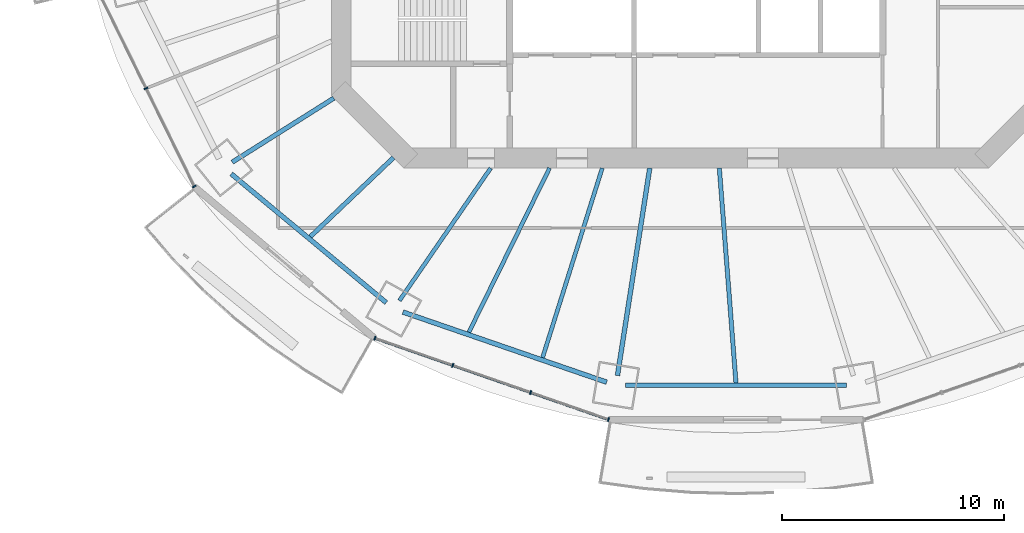
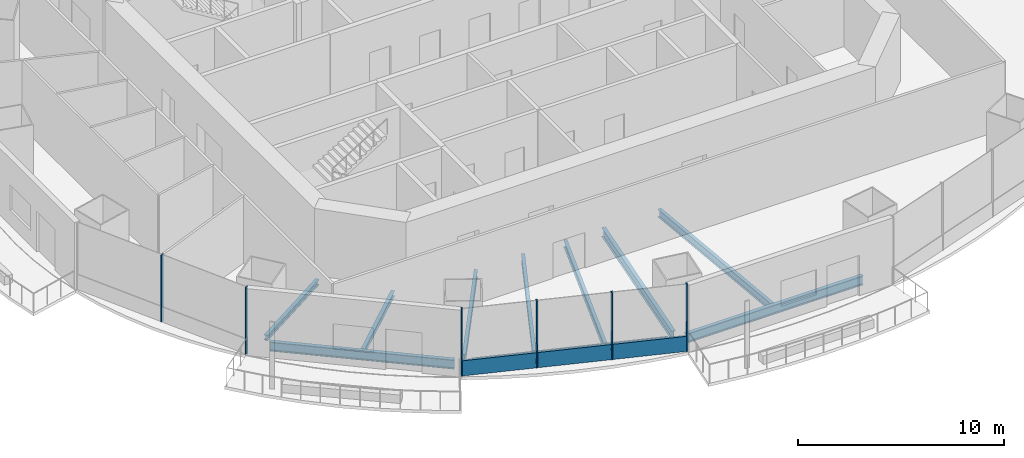
# One storey, part 2 of 18: 10 beams, 7 members, 2 elements without a shape of their own.
"""IFC4 building model written with IfcOpenShell, lengths in metres."""

from ifc_helpers import new_model, si_unit, direction, frame, origin, origin_2d, place, context, subcontext, project, spatial, rectangle, i_section, extrude, material, material_profile, profile_set, type_object, element, aggregate, save


model = new_model("IFC4")

# Units and contexts
model_context = context("Model", 3, precision=1e-05, world=origin(), true_north=direction((0.0, 1.0)))
body_context = subcontext(model_context, "Body", "Model", "MODEL_VIEW")
ifc_project = project(units=[si_unit("LENGTHUNIT", "METRE"), si_unit("AREAUNIT", "SQUARE_METRE"), si_unit("VOLUMEUNIT", "CUBIC_METRE"), si_unit("PLANEANGLEUNIT", "RADIAN"), si_unit("MASSUNIT", "GRAM", prefix="KILO")], contexts=[model_context])

# Site, building, storey
site_placement = place(None, origin())
site = spatial("IfcSite", under=ifc_project, at=site_placement, CompositionType="ELEMENT")
building_placement = place(site_placement, origin())
building = spatial("IfcBuilding", under=site, at=building_placement, Name="Marenthal Gate Tower", CompositionType="ELEMENT")
storey_placement = place(building_placement, frame((0.0, 0.0, 264.800048828125)))
storey = spatial("IfcBuildingStorey", under=building, at=storey_placement, Name="L59", CompositionType="ELEMENT", Elevation=264.800048828125)

# Curtain wall, members
ifc_material_1 = material(Name="Aluminium and glass", Category="aluminium")
curtain_wall_type = type_object("IfcCurtainWallType", Name="Curtain wall typical mid", PredefinedType="NOTDEFINED", material=ifc_material_1)
curtain_wall_1_placement = place(storey_placement, origin())
curtain_wall_1 = element("IfcCurtainWall", 1, at=curtain_wall_1_placement, inside=storey, type_object=curtain_wall_type, Name="Curtain wall L59 bay 9", PredefinedType="NOTDEFINED")
ifc_material_2 = material(Name="Aluminium", Category="aluminium")
ifc_material_profile_1 = material_profile(ifc_material_2, rectangle(XDim=0.179931640625, YDim=0.06005859375, at=origin_2d()), Name="60x180 aluminium mullion")
ifc_profile_set_1 = profile_set([ifc_material_profile_1], Name="Aluminium")
member_type_1 = type_object("IfcMemberType", Name="Mullion 60x180 typical mid", PredefinedType="MULLION", material=ifc_profile_set_1)
member_1_placement = place(storey_placement, frame((-24.804931640625, -9.858642578125, 0.0), z_axis=(0.0, 0.0, 1.0), x_axis=(0.896920632002, 0.442191564697, 0.0)))
member_1 = element("IfcMember", 2, at=member_1_placement, type_object=member_type_1, Name="Mullion L59 bay 9.2", PredefinedType="MULLION", context=body_context, shape_type="SweptSolid", body=[
    extrude(rectangle(XDim=0.179931640625, YDim=0.06005859375, at=origin_2d()), origin(), (0.0, 0.0, 1.0), 3.969970703125),
])
member_2_placement = place(storey_placement, frame((-22.6259765625, -14.27783203125, 0.0), z_axis=(0.0, 0.0, 1.0), x_axis=(0.896920632002, 0.442191564697, 0.0)))
member_2 = element("IfcMember", 3, at=member_2_placement, type_object=member_type_1, Name="Mullion L59 bay 9.3", PredefinedType="MULLION", context=body_context, shape_type="SweptSolid", body=[
    extrude(rectangle(XDim=0.179931640625, YDim=0.06005859375, at=origin_2d()), origin(), (0.0, 0.0, 1.0), 3.969970703125),
])
aggregate(curtain_wall_1, [member_1, member_2])

curtain_wall_2_placement = place(storey_placement, origin())
curtain_wall_2 = element("IfcCurtainWall", 4, at=curtain_wall_2_placement, inside=storey, type_object=curtain_wall_type, Name="Curtain wall L59 bay 11", PredefinedType="NOTDEFINED")
member_3_placement = place(storey_placement, frame((-14.48388671875, -21.12060546875, 0.0), z_axis=(0.0, 0.0, 1.0), x_axis=(0.328669787971, 0.944444900709, 0.0)))
member_3 = element("IfcMember", 5, at=member_3_placement, type_object=member_type_1, Name="Mullion L59 bay 11.1", PredefinedType="MULLION", context=body_context, shape_type="SweptSolid", body=[
    extrude(rectangle(XDim=0.179931640625, YDim=0.06005859375, at=origin_2d()), origin(), (0.0, 0.0, 1.0), 3.969970703125),
])
member_4_placement = place(storey_placement, frame((-10.974609375, -22.341796875, 0.0), z_axis=(0.0, 0.0, 1.0), x_axis=(0.328669787971, 0.944444900709, 0.0)))
member_4 = element("IfcMember", 6, at=member_4_placement, type_object=member_type_1, Name="Mullion L59 bay 11.2", PredefinedType="MULLION", context=body_context, shape_type="SweptSolid", body=[
    extrude(rectangle(XDim=0.179931640625, YDim=0.06005859375, at=origin_2d()), origin(), (0.0, 0.0, 1.0), 3.969970703125),
])
member_5_placement = place(storey_placement, frame((-7.465576171875, -23.56298828125, 0.0), z_axis=(0.0, 0.0, 1.0), x_axis=(0.328669787971, 0.944444900709, 0.0)))
member_5 = element("IfcMember", 7, at=member_5_placement, type_object=member_type_1, Name="Mullion L59 bay 11.3", PredefinedType="MULLION", context=body_context, shape_type="SweptSolid", body=[
    extrude(rectangle(XDim=0.179931640625, YDim=0.06005859375, at=origin_2d()), origin(), (0.0, 0.0, 1.0), 3.969970703125),
])
member_6_placement = place(storey_placement, frame((-3.956298828125, -24.7841796875, 0.0), z_axis=(0.0, 0.0, 1.0), x_axis=(0.328669787971, 0.944444900709, 0.0)))
member_6 = element("IfcMember", 8, at=member_6_placement, type_object=member_type_1, Name="Mullion L59 bay 11.4", PredefinedType="MULLION", context=body_context, shape_type="SweptSolid", body=[
    extrude(rectangle(XDim=0.179931640625, YDim=0.06005859375, at=origin_2d()), origin(), (0.0, 0.0, 1.0), 3.969970703125),
])
ifc_material_3 = material(Name="Aluminium", Category="aluminium")
ifc_material_profile_2 = material_profile(ifc_material_3, rectangle(XDim=0.1201171875, YDim=0.89990234375, at=origin_2d()), Name="120x900 aluminium transom")
ifc_profile_set_2 = profile_set([ifc_material_profile_2], Name="Aluminium")
member_type_2 = type_object("IfcMemberType", Name="Transom 120x900 typical mid", PredefinedType="USERDEFINED", material=ifc_profile_set_2)
member_7_placement = place(storey_placement, frame((-14.455322265625, -21.13037109375, 0.449951171875), z_axis=(0.944445984358, -0.328666674047, 0.0), x_axis=(0.328666674047, 0.944445984358, 0.0)))
member_7 = element("IfcMember", 9, at=member_7_placement, type_object=member_type_2, Name="Transom L59 bay 11", ObjectType="TRANSOM", PredefinedType="USERDEFINED", context=body_context, shape_type="SweptSolid", body=[
    extrude(rectangle(XDim=0.1201171875, YDim=0.89990234375, at=origin_2d()), origin(), (0.0, 0.0, 1.0), 11.086669921875),
])
aggregate(curtain_wall_2, [member_3, member_4, member_5, member_6, member_7])

# Beams
ifc_material_4 = material(Name="Steel S355", Category="steel")
ifc_material_profile_3 = material_profile(ifc_material_4, i_section(OverallWidth=0.202880859375, OverallDepth=0.302001953125, WebThickness=0.007568359375, FlangeThickness=0.01318359375, FilletRadius=0.0126953125, at=origin_2d()), Name="W310X60")
ifc_profile_set_3 = profile_set([ifc_material_profile_3], Name="Steel S355")
beam_type_1 = type_object("IfcBeamType", Name="W310X60 beam", PredefinedType="BEAM", material=ifc_profile_set_3)
beam_1_placement = place(storey_placement, frame((-17.389404296875, -16.538330078125, -0.3310546875), z_axis=(0.724635316144, 0.68913254066, 0.0), x_axis=(-0.68913254066, 0.724635316144, 0.0)))
element("IfcBeam", 10, at=beam_1_placement, inside=storey, type_object=beam_type_1, Name="BM-L59-31", PredefinedType="BEAM", context=body_context, shape_type="SweptSolid", body=[
    extrude(i_section(OverallWidth=0.202880859375, OverallDepth=0.302001953125, WebThickness=0.007568359375, FlangeThickness=0.01318359375, FilletRadius=0.0126953125, at=origin_2d()), origin(), (0.0, 0.0, 1.0), 5.157470703125),
])
ifc_material_5 = material(Name="Steel S355", Category="steel")
ifc_material_profile_4 = material_profile(ifc_material_5, i_section(OverallWidth=0.205078125, OverallDepth=0.31005859375, WebThickness=0.009521484375, FlangeThickness=0.016357421875, FilletRadius=0.0126953125, at=origin_2d()), Name="W310X74")
ifc_profile_set_4 = profile_set([ifc_material_profile_4], Name="Steel S355")
beam_type_2 = type_object("IfcBeamType", Name="W310X74 beam", PredefinedType="BEAM", material=ifc_profile_set_4)
beam_2_placement = place(storey_placement, frame((-20.9130859375, -13.18359375, -0.3349609375), z_axis=(0.845937996818, 0.533281263067, 0.0), x_axis=(-0.533281263067, 0.845937996818, 0.0)))
element("IfcBeam", 11, at=beam_2_placement, inside=storey, type_object=beam_type_2, Name="BM-L59-10", PredefinedType="BEAM", context=body_context, shape_type="SweptSolid", body=[
    extrude(i_section(OverallWidth=0.205078125, OverallDepth=0.31005859375, WebThickness=0.009521484375, FlangeThickness=0.016357421875, FilletRadius=0.0126953125, at=origin_2d()), origin(), (0.0, 0.0, 1.0), 5.408935546875),
])
ifc_material_6 = material(Name="Steel S355", Category="steel")
ifc_material_profile_5 = material_profile(ifc_material_6, i_section(OverallWidth=0.180908203125, OverallDepth=0.4169921875, WebThickness=0.010986328125, FlangeThickness=0.018310546875, FilletRadius=0.01025390625, at=origin_2d()), Name="W410X85")
ifc_profile_set_5 = profile_set([ifc_material_profile_5], Name="Steel S355")
beam_type_3 = type_object("IfcBeamType", Name="W410X85 beam", PredefinedType="BEAM", material=ifc_profile_set_5)
beam_3_placement = place(storey_placement, frame((-13.376708984375, -19.4228515625, -0.388427734375), z_axis=(0.567198693858, 0.823580986719, 0.0), x_axis=(-0.823580986719, 0.567198693858, 0.0)))
element("IfcBeam", 12, at=beam_3_placement, inside=storey, type_object=beam_type_3, Name="BM-L59-11", PredefinedType="BEAM", context=body_context, shape_type="SweptSolid", body=[
    extrude(i_section(OverallWidth=0.180908203125, OverallDepth=0.4169921875, WebThickness=0.010986328125, FlangeThickness=0.018310546875, FilletRadius=0.01025390625, at=origin_2d()), origin(), (0.0, 0.0, 1.0), 7.25244140625),
])
beam_4_placement = place(storey_placement, frame((-10.2490234375, -20.85009765625, -0.388427734375), z_axis=(0.441151587907, 0.897432602755, 0.0), x_axis=(-0.897432602755, 0.441151587907, 0.0)))
element("IfcBeam", 13, at=beam_4_placement, inside=storey, type_object=beam_type_3, Name="BM-L59-32", PredefinedType="BEAM", context=body_context, shape_type="SweptSolid", body=[
    extrude(i_section(OverallWidth=0.180908203125, OverallDepth=0.4169921875, WebThickness=0.010986328125, FlangeThickness=0.018310546875, FilletRadius=0.01025390625, at=origin_2d()), origin(), (0.0, 0.0, 1.0), 8.245849609375),
])
beam_5_placement = place(storey_placement, frame((-6.926025390625, -21.994140625, -0.388427734375), z_axis=(0.30034603041, 0.953830310913, 0.0), x_axis=(-0.953830310913, 0.30034603041, 0.0)))
element("IfcBeam", 14, at=beam_5_placement, inside=storey, type_object=beam_type_3, Name="BM-L59-33", PredefinedType="BEAM", context=body_context, shape_type="SweptSolid", body=[
    extrude(i_section(OverallWidth=0.180908203125, OverallDepth=0.4169921875, WebThickness=0.010986328125, FlangeThickness=0.018310546875, FilletRadius=0.01025390625, at=origin_2d()), origin(), (0.0, 0.0, 1.0), 8.957763671875),
])
ifc_material_7 = material(Name="Steel S355", Category="steel")
ifc_material_profile_6 = material_profile(ifc_material_7, i_section(OverallWidth=0.193115234375, OverallDepth=0.467041015625, WebThickness=0.011474609375, FlangeThickness=0.01904296875, FilletRadius=0.010009765625, at=origin_2d()), Name="W460X97")
ifc_profile_set_6 = profile_set([ifc_material_profile_6], Name="Steel S355")
beam_type_4 = type_object("IfcBeamType", Name="W460X97 beam", PredefinedType="BEAM", material=ifc_profile_set_6)
beam_6_placement = place(storey_placement, frame((1.791748046875, -23.138427734375, -0.41357421875), z_axis=(-0.077205616484, 0.997015191852, 0.0), x_axis=(-0.997015191852, -0.077205616484, 0.0)))
element("IfcBeam", 15, at=beam_6_placement, inside=storey, type_object=beam_type_4, Name="BM-L59-34", PredefinedType="BEAM", context=body_context, shape_type="SweptSolid", body=[
    extrude(i_section(OverallWidth=0.193115234375, OverallDepth=0.467041015625, WebThickness=0.011474609375, FlangeThickness=0.01904296875, FilletRadius=0.010009765625, at=origin_2d()), origin(), (0.0, 0.0, 1.0), 9.717529296875),
])
ifc_material_8 = material(Name="Steel S355", Category="steel")
ifc_material_profile_7 = material_profile(ifc_material_8, i_section(OverallWidth=0.2099609375, OverallDepth=0.535888671875, WebThickness=0.010986328125, FlangeThickness=0.017333984375, FilletRadius=0.0126953125, at=origin_2d()), Name="W530X101")
ifc_profile_set_7 = profile_set([ifc_material_profile_7], Name="Steel S355")
beam_type_5 = type_object("IfcBeamType", Name="W530X101 beam", PredefinedType="BEAM", material=ifc_profile_set_7)
beam_7_placement = place(storey_placement, frame((-3.550537109375, -22.7998046875, -0.447998046875), z_axis=(0.153875504904, 0.988090243343, 0.0), x_axis=(-0.988090243343, 0.153875504904, 0.0)))
element("IfcBeam", 16, at=beam_7_placement, inside=storey, type_object=beam_type_5, Name="BM-L59-12", PredefinedType="BEAM", context=body_context, shape_type="SweptSolid", body=[
    extrude(i_section(OverallWidth=0.2099609375, OverallDepth=0.535888671875, WebThickness=0.010986328125, FlangeThickness=0.017333984375, FilletRadius=0.0126953125, at=origin_2d()), origin(), (0.0, 0.0, 1.0), 9.462646484375),
])
ifc_material_9 = material(Name="Steel S355", Category="steel")
ifc_material_profile_8 = material_profile(ifc_material_9, i_section(OverallWidth=0.2119140625, OverallDepth=0.5439453125, WebThickness=0.01318359375, FlangeThickness=0.021240234375, FilletRadius=0.0126953125, at=origin_2d()), Name="W530X123")
ifc_profile_set_8 = profile_set([ifc_material_profile_8], Name="Steel S355")
beam_type_6 = type_object("IfcBeamType", Name="W530X123 beam", PredefinedType="BEAM", material=ifc_profile_set_8)
beam_8_placement = place(storey_placement, frame((-20.957763671875, -13.710693359375, -0.4521484375), z_axis=(0.769082206984, -0.639149872018, 0.0), x_axis=(0.639149872018, 0.769082206984, 0.0)))
element("IfcBeam", 17, at=beam_8_placement, inside=storey, type_object=beam_type_6, Name="BM-L59-50", PredefinedType="BEAM", context=body_context, shape_type="SweptSolid", body=[
    extrude(i_section(OverallWidth=0.2119140625, OverallDepth=0.5439453125, WebThickness=0.01318359375, FlangeThickness=0.021240234375, FilletRadius=0.0126953125, at=origin_2d()), origin(), (0.0, 0.0, 1.0), 9.0810546875),
])
beam_9_placement = place(storey_placement, frame((-13.21875, -19.93994140625, -0.4521484375), z_axis=(0.945538727214, -0.325509624034, 0.0), x_axis=(0.325509624034, 0.945538727214, 0.0)))
element("IfcBeam", 18, at=beam_9_placement, inside=storey, type_object=beam_type_6, Name="BM-L59-51", PredefinedType="BEAM", context=body_context, shape_type="SweptSolid", body=[
    extrude(i_section(OverallWidth=0.2119140625, OverallDepth=0.5439453125, WebThickness=0.01318359375, FlangeThickness=0.021240234375, FilletRadius=0.0126953125, at=origin_2d()), origin(), (0.0, 0.0, 1.0), 9.713623046875),
])
beam_10_placement = place(storey_placement, frame((-3.18212890625, -23.244384765625, -0.4521484375), z_axis=(1.0, 0.0, 0.0), x_axis=(0.0, 1.0, 0.0)))
element("IfcBeam", 19, at=beam_10_placement, inside=storey, type_object=beam_type_6, Name="BM-L59-52", PredefinedType="BEAM", context=body_context, shape_type="SweptSolid", body=[
    extrude(i_section(OverallWidth=0.2119140625, OverallDepth=0.5439453125, WebThickness=0.01318359375, FlangeThickness=0.021240234375, FilletRadius=0.0126953125, at=origin_2d()), origin(), (0.0, 0.0, 1.0), 9.96435546875),
])

save(model, "model.ifc")
